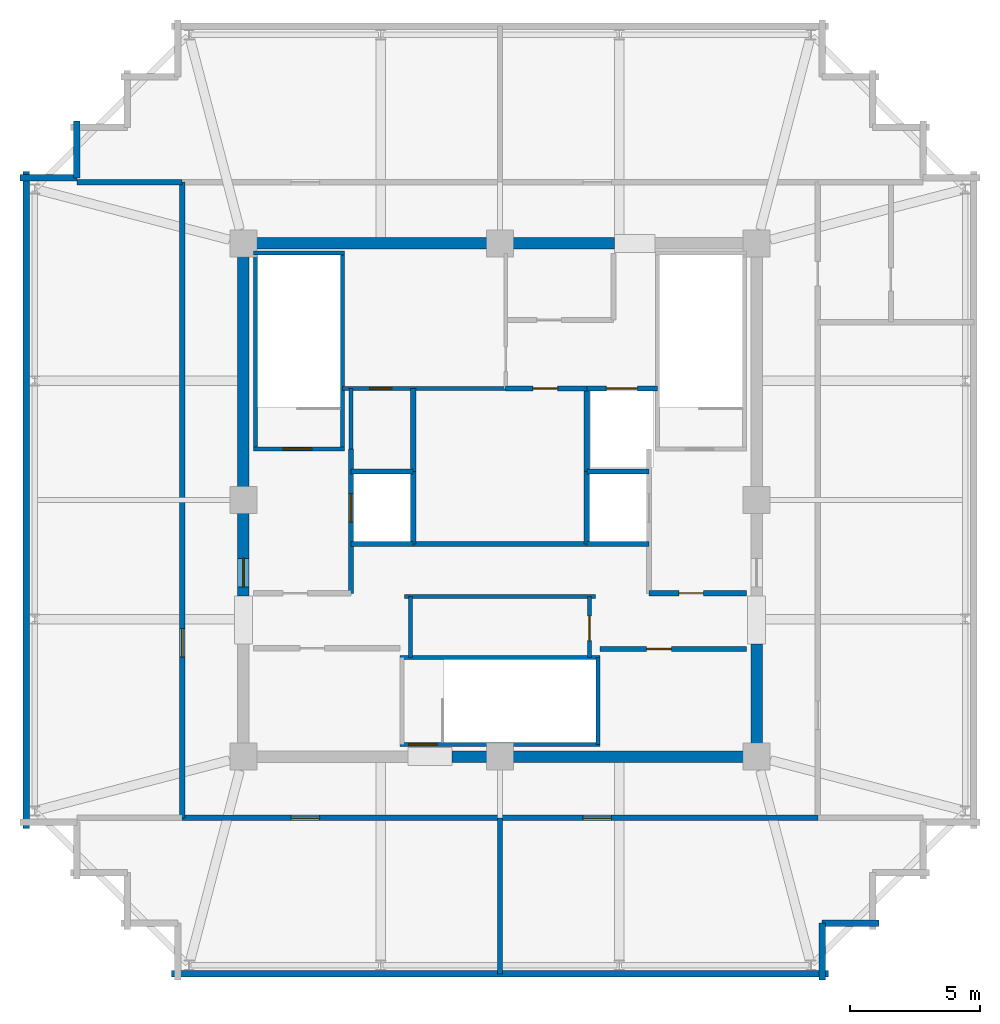
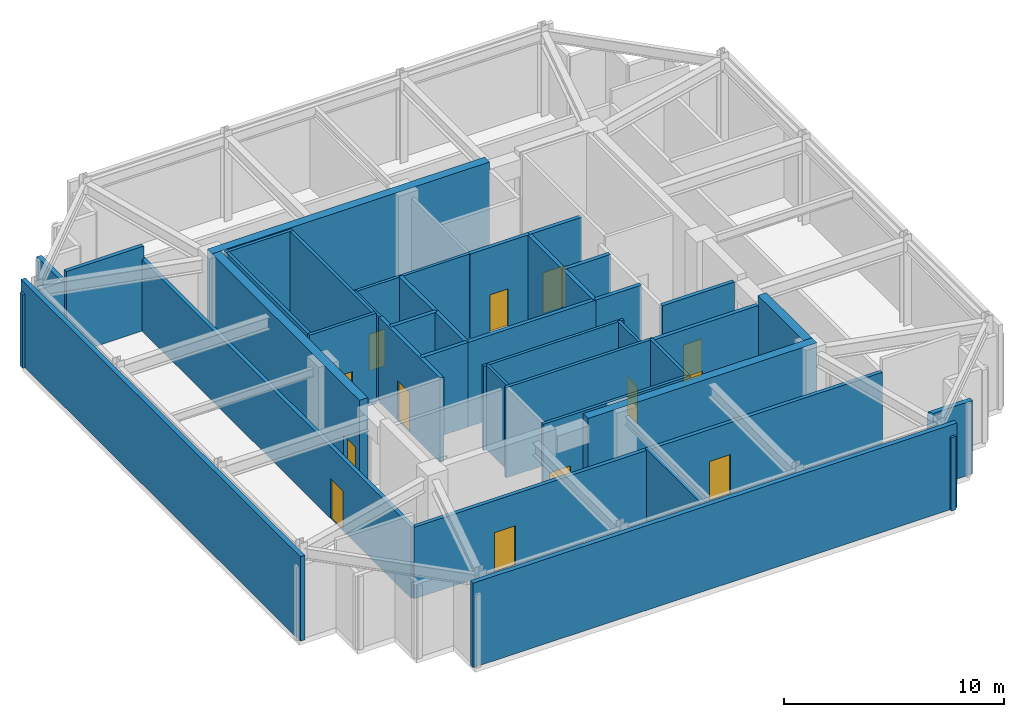
# One storey, part 2 of 4: 40 walls, 13 doors, 13 openings.
"""IFC4 building model written with IfcOpenShell, lengths in metres."""

from ifc_helpers import new_model, si_unit, direction, frame, frame_2d, origin, place, context, subcontext, project, spatial, rectangle, extrude, material, layer, layer_set, type_object, element, fill, save


model = new_model("IFC4")

# Units and contexts
model_context = context("Model", 3, precision=1e-05, world=origin(), true_north=direction((0.0, 1.0)))
body_context = subcontext(model_context, "Body", "Model", "MODEL_VIEW")
ifc_project = project(units=[si_unit("LENGTHUNIT", "METRE"), si_unit("AREAUNIT", "SQUARE_METRE"), si_unit("VOLUMEUNIT", "CUBIC_METRE"), si_unit("PLANEANGLEUNIT", "RADIAN"), si_unit("MASSUNIT", "GRAM", prefix="KILO")], contexts=[model_context])

# Site, building, storey
site_placement = place(None, origin())
site = spatial("IfcSite", under=ifc_project, at=site_placement, CompositionType="ELEMENT")
building_placement = place(site_placement, origin())
building = spatial("IfcBuilding", under=site, at=building_placement, Name="Kolvaren Belvedere", CompositionType="ELEMENT")
storey_placement = place(building_placement, frame((0.0, 0.0, 282.39990234375)))
storey = spatial("IfcBuildingStorey", under=building, at=storey_placement, Name="L80", CompositionType="ELEMENT", Elevation=282.39990234375)

# Walls
ifc_material_1 = material(Name="Concrete C50/60", Category="concrete")
ifc_layer_1 = layer(ifc_material_1, 0.449951171875)
ifc_layer_set_1 = layer_set([ifc_layer_1], Name="Concrete C50/60")
wall_type_1 = type_object("IfcWallType", Name="CW-CORE-450", PredefinedType="SHEAR", material=ifc_layer_set_1)
wall_1_placement = place(storey_placement, frame((10.125, -9.89990234375, 0.0), z_axis=(0.0, 0.0, 1.0), x_axis=(-1.0, 0.0, 0.0)))
element("IfcWall", 1, at=wall_1_placement, inside=storey, type_object=wall_type_1, Name="L80 South Core Shear Wall 1", PredefinedType="SHEAR", context=body_context, shape_type="SweptSolid", body=[
    extrude(rectangle(XDim=11.985107421875, YDim=0.449951171875, at=frame_2d((5.99267578125, 0.0))), origin(), (0.0, 0.0, 1.0), 5.0),
])
wall_2_placement = place(storey_placement, frame((-10.125, 9.89990234375, 0.0), z_axis=(0.0, 0.0, 1.0), x_axis=(1.0, 0.0, 0.0)))
element("IfcWall", 2, at=wall_2_placement, inside=storey, type_object=wall_type_1, Name="L80 North Core Shear Wall 1", PredefinedType="SHEAR", context=body_context, shape_type="SweptSolid", body=[
    extrude(rectangle(XDim=14.544921875, YDim=0.449951171875, at=frame_2d((7.2724609375, 0.0))), origin(), (0.0, 0.0, 1.0), 5.0),
])
wall_3_placement = place(storey_placement, frame((9.89990234375, -9.675048828125, 0.0), z_axis=(0.0, 0.0, 1.0), x_axis=(0.0, 1.0, 0.0)))
element("IfcWall", 3, at=wall_3_placement, inside=storey, type_object=wall_type_1, Name="L80 East Core Shear Wall 1", PredefinedType="SHEAR", context=body_context, shape_type="SweptSolid", body=[
    extrude(rectangle(XDim=4.125, YDim=0.449951171875, at=frame_2d((2.0625, 0.0))), origin(), (0.0, 0.0, 1.0), 5.0),
])

# Wall, opening, door
wall_4_placement = place(storey_placement, frame((-9.89990234375, -3.699951171875, 0.0), z_axis=(0.0, 0.0, 1.0), x_axis=(0.0, 1.0, 0.0)))
wall_4 = element("IfcWall", 4, at=wall_4_placement, inside=storey, type_object=wall_type_1, Name="L80 West Core Shear Wall 2", PredefinedType="SHEAR", context=body_context, shape_type="SweptSolid", body=[
    extrude(rectangle(XDim=13.375, YDim=0.449951171875, at=frame_2d((6.6875, 0.0))), origin(), (0.0, 0.0, 1.0), 5.0),
])
opening_1_placement = place(wall_4_placement, frame((0.35009765625, 0.0, 0.0)))
opening_1 = element("IfcOpeningElement", 5, at=opening_1_placement, cuts=wall_4, Name="Opening D-FD90", PredefinedType="OPENING", context=body_context, shape_type="SweptSolid", body=[
    extrude(rectangle(XDim=1.10009765625, YDim=2.199951171875, at=frame_2d((0.550048828125, 1.10009765625))), frame((0.0, 0.23486328125, 0.0), z_axis=(0.0, -1.0, 0.0), x_axis=(1.0, 0.0, 0.0)), (0.0, 0.0, 1.0), 0.469970703125),
])
ifc_material_2 = material(Name="Painted hollow stainless steel", Category="steel")
door_type_1 = type_object("IfcDoorType", Name="DR-FD90-1100", OperationType="NOTDEFINED", PredefinedType="DOOR", material=ifc_material_2)
door_1_placement = place(opening_1_placement, origin())
door_1 = element("IfcDoor", 6, at=door_1_placement, inside=storey, type_object=door_type_1, Name="L80 West Firefighting Lobby Fire Door", OperationType="SINGLE_SWING_LEFT", OverallHeight=2.199951171875, OverallWidth=1.10009765625, PredefinedType="DOOR", context=body_context, shape_type="SweptSolid", body=[
    extrude(rectangle(XDim=1.10009765625, YDim=2.199951171875, at=frame_2d((0.550048828125, 1.10009765625))), frame((0.0, 0.02490234375, 0.0), z_axis=(0.0, -1.0, 0.0), x_axis=(1.0, 0.0, 0.0)), (0.0, 0.0, 1.0), 0.050048828125),
])
fill(opening_1, door_1)

ifc_material_3 = material(Name="Concrete C50/60", Category="concrete")
ifc_layer_2 = layer(ifc_material_3, 0.159912109375)
ifc_layer_set_2 = layer_set([ifc_layer_2], Name="Concrete C50/60")
wall_type_2 = type_object("IfcWallType", Name="CW-STAIR-160", PredefinedType="SHEAR", material=ifc_layer_set_2)
wall_5_placement = place(storey_placement, frame((-9.52001953125, 1.969970703125, 0.0), z_axis=(0.0, 0.0, 1.0), x_axis=(1.0, 0.0, 0.0)))
wall_5 = element("IfcWall", 7, at=wall_5_placement, inside=storey, type_object=wall_type_2, Name="L80 Stair ST-1 South Shear Wall", PredefinedType="SHEAR", context=body_context, shape_type="SweptSolid", body=[
    extrude(rectangle(XDim=3.52001953125, YDim=0.159912109375, at=frame_2d((1.760009765625, 0.0))), origin(), (0.0, 0.0, 1.0), 5.0),
])
opening_2_placement = place(wall_5_placement, frame((1.14990234375, 0.0, 0.0)))
opening_2 = element("IfcOpeningElement", 8, at=opening_2_placement, cuts=wall_5, Name="Opening D-FD90", PredefinedType="OPENING", context=body_context, shape_type="SweptSolid", body=[
    extrude(rectangle(XDim=1.10009765625, YDim=2.199951171875, at=frame_2d((0.550048828125, 1.10009765625))), frame((0.0, 0.08984375, 0.0), z_axis=(0.0, -1.0, 0.0), x_axis=(1.0, 0.0, 0.0)), (0.0, 0.0, 1.0), 0.179931640625),
])
door_2_placement = place(opening_2_placement, origin())
door_2 = element("IfcDoor", 9, at=door_2_placement, inside=storey, type_object=door_type_1, Name="L80 Stair ST-1 Fire Door", OperationType="SINGLE_SWING_LEFT", OverallHeight=2.199951171875, OverallWidth=1.10009765625, PredefinedType="DOOR", context=body_context, shape_type="SweptSolid", body=[
    extrude(rectangle(XDim=1.10009765625, YDim=2.199951171875, at=frame_2d((0.550048828125, 1.10009765625))), frame((0.0, 0.02490234375, 0.0), z_axis=(0.0, -1.0, 0.0), x_axis=(1.0, 0.0, 0.0)), (0.0, 0.0, 1.0), 0.050048828125),
])
fill(opening_2, door_2)

# Walls
wall_6_placement = place(storey_placement, frame((-9.52001953125, 9.530029296875, 0.0), z_axis=(0.0, 0.0, 1.0), x_axis=(1.0, 0.0, 0.0)))
element("IfcWall", 10, at=wall_6_placement, inside=storey, type_object=wall_type_2, Name="L80 Stair ST-1 North Shear Wall", PredefinedType="SHEAR", context=body_context, shape_type="SweptSolid", body=[
    extrude(rectangle(XDim=3.52001953125, YDim=0.159912109375, at=frame_2d((1.760009765625, 0.0))), origin(), (0.0, 0.0, 1.0), 5.0),
])
for number, where, z_axis, x_axis, name in (
    (11, (-9.429931640625, 1.969970703125, 0.0), (0.0, 0.0, 1.0), (0.0, 1.0, 0.0), "L80 Stair ST-1 West Shear Wall"),
    (12, (-6.080078125, 1.969970703125, 0.0), (0.0, 0.0, 1.0), (0.0, 1.0, 0.0), "L80 Stair ST-1 East Shear Wall"),
):
    element("IfcWall", number, at=place(storey_placement, frame(where, z_axis=z_axis, x_axis=x_axis)), inside=storey, type_object=wall_type_2, Name=name, PredefinedType="SHEAR", context=body_context, shape_type="SweptSolid", body=[
        extrude(rectangle(XDim=7.56005859375, YDim=0.159912109375, at=frame_2d((3.780029296875, 0.0))), origin(), (0.0, 0.0, 1.0), 5.0),
    ])

# Wall, opening, door
wall_7_placement = place(storey_placement, frame((3.860107421875, -9.429931640625, 0.0), z_axis=(0.0, 0.0, 1.0), x_axis=(-1.0, 0.0, 0.0)))
wall_7 = element("IfcWall", 13, at=wall_7_placement, inside=storey, type_object=wall_type_2, Name="L80 Stair ST-3 South Shear Wall", PredefinedType="SHEAR", context=body_context, shape_type="SweptSolid", body=[
    extrude(rectangle(XDim=7.72021484375, YDim=0.159912109375, at=frame_2d((3.860107421875, 0.0))), origin(), (0.0, 0.0, 1.0), 5.0),
])
opening_3_placement = place(wall_7_placement, frame((6.2900390625, 0.0, 0.0)))
opening_3 = element("IfcOpeningElement", 14, at=opening_3_placement, cuts=wall_7, Name="Opening D-FD90", PredefinedType="OPENING", context=body_context, shape_type="SweptSolid", body=[
    extrude(rectangle(XDim=1.10009765625, YDim=2.199951171875, at=frame_2d((0.550048828125, 1.10009765625))), frame((0.0, 0.08984375, 0.0), z_axis=(0.0, -1.0, 0.0), x_axis=(1.0, 0.0, 0.0)), (0.0, 0.0, 1.0), 0.179931640625),
])
door_3_placement = place(opening_3_placement, origin())
door_3 = element("IfcDoor", 15, at=door_3_placement, inside=storey, type_object=door_type_1, Name="L80 Stair ST-3 Exit Door", OperationType="SINGLE_SWING_RIGHT", OverallHeight=2.199951171875, OverallWidth=1.10009765625, PredefinedType="DOOR", context=body_context, shape_type="SweptSolid", body=[
    extrude(rectangle(XDim=1.10009765625, YDim=2.199951171875, at=frame_2d((0.550048828125, 1.10009765625))), frame((0.0, 0.02490234375, 0.0), z_axis=(0.0, -1.0, 0.0), x_axis=(1.0, 0.0, 0.0)), (0.0, 0.0, 1.0), 0.050048828125),
])
fill(opening_3, door_3)

# Walls
wall_8_placement = place(storey_placement, frame((-3.860107421875, -6.080078125, 0.0), z_axis=(0.0, 0.0, 1.0), x_axis=(1.0, 0.0, 0.0)))
element("IfcWall", 16, at=wall_8_placement, inside=storey, type_object=wall_type_2, Name="L80 Stair ST-3 North Shear Wall", PredefinedType="SHEAR", context=body_context, shape_type="SweptSolid", body=[
    extrude(rectangle(XDim=7.72021484375, YDim=0.159912109375, at=frame_2d((3.860107421875, 0.0))), origin(), (0.0, 0.0, 1.0), 5.0),
])
wall_9_placement = place(storey_placement, frame((3.780029296875, -9.429931640625, 0.0), z_axis=(0.0, 0.0, 1.0), x_axis=(0.0, 1.0, 0.0)))
element("IfcWall", 17, at=wall_9_placement, inside=storey, type_object=wall_type_2, Name="L80 Stair ST-3 East Shear Wall", PredefinedType="SHEAR", context=body_context, shape_type="SweptSolid", body=[
    extrude(rectangle(XDim=3.349853515625, YDim=0.159912109375, at=frame_2d((1.6748046875, 0.0))), origin(), (0.0, 0.0, 1.0), 5.0),
])
ifc_material_4 = material(Name="Insulated acoustic pale-metal louvre wall", Category="aluminium")
ifc_layer_3 = layer(ifc_material_4, 0.239990234375)
ifc_layer_set_3 = layer_set([ifc_layer_3], Name="Insulated acoustic pale-metal louvre wall")
wall_type_3 = type_object("IfcWallType", Name="WL-LOUV-240", PredefinedType="STANDARD", material=ifc_layer_set_3)
wall_10_placement = place(storey_placement, frame((12.669921875, -18.280029296875, 0.0), z_axis=(0.0, 0.0, 1.0), x_axis=(-1.0, 0.0, 0.0)))
element("IfcWall", 18, at=wall_10_placement, inside=storey, type_object=wall_type_3, Name="L80 Acoustic Louvre Facade Wall 1", PredefinedType="STANDARD", context=body_context, shape_type="SweptSolid", body=[
    extrude(rectangle(XDim=25.33984375, YDim=0.239990234375, at=frame_2d((12.669921875, 0.0))), origin(), (0.0, 0.0, 1.0), 4.68017578125),
])
wall_11_placement = place(storey_placement, frame((12.429931640625, -16.330078125, 0.0), z_axis=(0.0, 0.0, 1.0), x_axis=(0.0, -1.0, 0.0)))
element("IfcWall", 19, at=wall_11_placement, inside=storey, type_object=wall_type_3, Name="L80 Acoustic Louvre Facade Wall 2", PredefinedType="STANDARD", context=body_context, shape_type="SweptSolid", body=[
    extrude(rectangle(XDim=2.18994140625, YDim=0.239990234375, at=frame_2d((1.094970703125, 0.0))), origin(), (0.0, 0.0, 1.0), 4.06298828125),
])
for number, where, z_axis, x_axis, name in (
    (20, (14.6201171875, -16.330078125, 0.0), (0.0, 0.0, 1.0), (-1.0, 0.0, 0.0), "L80 Acoustic Louvre Facade Wall 3"),
    (21, (-16.330078125, 12.429931640625, 0.0), (0.0, 0.0, 1.0), (0.0, 1.0, 0.0), "L80 Acoustic Louvre Facade Wall 20"),
):
    element("IfcWall", number, at=place(storey_placement, frame(where, z_axis=z_axis, x_axis=x_axis)), inside=storey, type_object=wall_type_3, Name=name, PredefinedType="STANDARD", context=body_context, shape_type="SweptSolid", body=[
        extrude(rectangle(XDim=2.190185546875, YDim=0.239990234375, at=frame_2d((1.09521484375, 0.0))), origin(), (0.0, 0.0, 1.0), 4.06298828125),
    ])
wall_12_placement = place(storey_placement, frame((-18.52001953125, 12.429931640625, 0.0), z_axis=(0.0, 0.0, 1.0), x_axis=(1.0, 0.0, 0.0)))
element("IfcWall", 22, at=wall_12_placement, inside=storey, type_object=wall_type_3, Name="L80 Acoustic Louvre Facade Wall 21", PredefinedType="STANDARD", context=body_context, shape_type="SweptSolid", body=[
    extrude(rectangle(XDim=2.18994140625, YDim=0.239990234375, at=frame_2d((1.094970703125, 0.0))), origin(), (0.0, 0.0, 1.0), 4.06298828125),
])
wall_13_placement = place(storey_placement, frame((-18.280029296875, -12.669921875, 0.0), z_axis=(0.0, 0.0, 1.0), x_axis=(0.0, 1.0, 0.0)))
element("IfcWall", 23, at=wall_13_placement, inside=storey, type_object=wall_type_3, Name="L80 Acoustic Louvre Facade Wall 22", PredefinedType="STANDARD", context=body_context, shape_type="SweptSolid", body=[
    extrude(rectangle(XDim=25.33984375, YDim=0.239990234375, at=frame_2d((12.669921875, 0.0))), origin(), (0.0, 0.0, 1.0), 4.68017578125),
])

# Wall, opening, door
ifc_material_5 = material(Name="Gypsum acoustic partition assembly", Category="gypsum")
ifc_layer_4 = layer(ifc_material_5, 0.14990234375)
ifc_layer_set_4 = layer_set([ifc_layer_4], Name="Gypsum acoustic partition assembly")
wall_type_4 = type_object("IfcWallType", Name="WL-PART-150", PredefinedType="PARTITIONING", material=ifc_layer_set_4)
wall_14_placement = place(storey_placement, frame((-6.080078125, 4.300048828125, 0.0), z_axis=(0.0, 0.0, 1.0), x_axis=(1.0, 0.0, 0.0)))
wall_14 = element("IfcWall", 24, at=wall_14_placement, inside=storey, type_object=wall_type_4, Name="L80 Reclaimed Salon South Wall", PredefinedType="PARTITIONING", context=body_context, shape_type="SweptSolid", body=[
    extrude(rectangle(XDim=6.300048828125, YDim=0.14990234375, at=frame_2d((3.14990234375, 0.0))), origin(), (0.0, 0.0, 1.0), 4.68017578125),
])
opening_4_placement = place(wall_14_placement, frame((1.050048828125, 0.0, 0.0)))
opening_4 = element("IfcOpeningElement", 25, at=opening_4_placement, cuts=wall_14, Name="Opening D-INT85", PredefinedType="OPENING", context=body_context, shape_type="SweptSolid", body=[
    extrude(rectangle(XDim=0.85009765625, YDim=2.030029296875, at=frame_2d((0.425048828125, 1.01513671875))), frame((0.0, 0.0849609375, 0.0), z_axis=(0.0, -1.0, 0.0), x_axis=(1.0, 0.0, 0.0)), (0.0, 0.0, 1.0), 0.169921875),
])
ifc_material_6 = material(Name="Stained Pacific white oak", Category="timber")
door_type_2 = type_object("IfcDoorType", Name="DR-INT-850", OperationType="NOTDEFINED", PredefinedType="DOOR", material=ifc_material_6)
door_4_placement = place(opening_4_placement, origin())
door_4 = element("IfcDoor", 26, at=door_4_placement, inside=storey, type_object=door_type_2, Name="L80 NW Core Store Door", OperationType="SINGLE_SWING_RIGHT", OverallHeight=2.030029296875, OverallWidth=0.85009765625, PredefinedType="DOOR", context=body_context, shape_type="SweptSolid", body=[
    extrude(rectangle(XDim=0.85009765625, YDim=2.030029296875, at=frame_2d((0.425048828125, 1.01513671875))), frame((0.0, 0.02490234375, 0.0), z_axis=(0.0, -1.0, 0.0), x_axis=(1.0, 0.0, 0.0)), (0.0, 0.0, 1.0), 0.050048828125),
])
fill(opening_4, door_4)

# Wall
wall_15_placement = place(storey_placement, frame((-3.679931640625, -3.719970703125, 0.0), z_axis=(0.0, 0.0, 1.0), x_axis=(1.0, 0.0, 0.0)))
element("IfcWall", 27, at=wall_15_placement, inside=storey, type_object=wall_type_4, Name="L80 South Core Service North Wall", PredefinedType="PARTITIONING", context=body_context, shape_type="SweptSolid", body=[
    extrude(rectangle(XDim=7.35986328125, YDim=0.14990234375, at=frame_2d((3.679931640625, 0.0))), origin(), (0.0, 0.0, 1.0), 4.68017578125),
])

# Wall, opening, door
wall_16_placement = place(storey_placement, frame((3.449951171875, -6.080078125, 0.0), z_axis=(0.0, 0.0, 1.0), x_axis=(0.0, 1.0, 0.0)))
wall_16 = element("IfcWall", 28, at=wall_16_placement, inside=storey, type_object=wall_type_4, Name="L80 South Core Service East Wall", PredefinedType="PARTITIONING", context=body_context, shape_type="SweptSolid", body=[
    extrude(rectangle(XDim=2.360107421875, YDim=0.14990234375, at=frame_2d((1.18017578125, 0.0))), origin(), (0.0, 0.0, 1.0), 4.68017578125),
])
opening_5_placement = place(wall_16_placement, frame((0.64990234375, 0.0, 0.0)))
opening_5 = element("IfcOpeningElement", 29, at=opening_5_placement, cuts=wall_16, Name="Opening D-FD60", PredefinedType="OPENING", context=body_context, shape_type="SweptSolid", body=[
    extrude(rectangle(XDim=0.949951171875, YDim=2.06005859375, at=frame_2d((0.47509765625, 1.030029296875))), frame((0.0, 0.0849609375, 0.0), z_axis=(0.0, -1.0, 0.0), x_axis=(1.0, 0.0, 0.0)), (0.0, 0.0, 1.0), 0.169921875),
])
ifc_material_7 = material(Name="Acoustic white-oak fire door leaf", Category="timber")
door_type_3 = type_object("IfcDoorType", Name="DR-FD60-950", OperationType="NOTDEFINED", PredefinedType="DOOR", material=ifc_material_7)
door_5_placement = place(opening_5_placement, origin())
door_5 = element("IfcDoor", 30, at=door_5_placement, inside=storey, type_object=door_type_3, Name="L80 Core Service Room Door", OperationType="SINGLE_SWING_LEFT", OverallHeight=2.06005859375, OverallWidth=0.949951171875, PredefinedType="DOOR", context=body_context, shape_type="SweptSolid", body=[
    extrude(rectangle(XDim=0.949951171875, YDim=2.06005859375, at=frame_2d((0.47509765625, 1.030029296875))), frame((0.0, 0.02490234375, 0.0), z_axis=(0.0, -1.0, 0.0), x_axis=(1.0, 0.0, 0.0)), (0.0, 0.0, 1.0), 0.050048828125),
])
fill(opening_5, door_5)

# Walls
wall_17_placement = place(storey_placement, frame((-3.449951171875, -6.080078125, 0.0), z_axis=(0.0, 0.0, 1.0), x_axis=(0.0, 1.0, 0.0)))
element("IfcWall", 31, at=wall_17_placement, inside=storey, type_object=wall_type_4, Name="L80 South Core Service West Wall", PredefinedType="PARTITIONING", context=body_context, shape_type="SweptSolid", body=[
    extrude(rectangle(XDim=2.360107421875, YDim=0.14990234375, at=frame_2d((1.18017578125, 0.0))), origin(), (0.0, 0.0, 1.0), 4.68017578125),
])
wall_18_placement = place(storey_placement, frame((-5.75, 1.969970703125, 0.0), z_axis=(0.0, 0.0, 1.0), x_axis=(0.0, 1.0, 0.0)))
element("IfcWall", 32, at=wall_18_placement, inside=storey, type_object=wall_type_4, Name="L80 NW Service Room West Wall", PredefinedType="PARTITIONING", context=body_context, shape_type="SweptSolid", body=[
    extrude(rectangle(XDim=2.330078125, YDim=0.14990234375, at=frame_2d((1.1650390625, 0.0))), origin(), (0.0, 0.0, 1.0), 4.68017578125),
])

# Wall, opening, door
ifc_material_8 = material(Name="Concrete C50/60", Category="concrete")
ifc_layer_5 = layer(ifc_material_8, 0.199951171875)
ifc_layer_set_5 = layer_set([ifc_layer_5], Name="Concrete C50/60")
wall_type_5 = type_object("IfcWallType", Name="WL-SHAFT-200", PredefinedType="SOLIDWALL", material=ifc_layer_set_5)
wall_19_placement = place(storey_placement, frame((-5.75, -3.60009765625, 0.0), z_axis=(0.0, 0.0, 1.0), x_axis=(0.0, 1.0, 0.0)))
wall_19 = element("IfcWall", 33, at=wall_19_placement, inside=storey, type_object=wall_type_5, Name="L80 FSAE FS1 Landing Wall", PredefinedType="SOLIDWALL", context=body_context, shape_type="SweptSolid", body=[
    extrude(rectangle(XDim=5.570068359375, YDim=0.199951171875, at=frame_2d((2.78515625, 0.0))), origin(), (0.0, 0.0, 1.0), 4.68017578125),
])
opening_6_placement = place(wall_19_placement, frame((2.75, 0.0, 0.0)))
opening_6 = element("IfcOpeningElement", 34, at=opening_6_placement, cuts=wall_19, Name="Opening LD-11", PredefinedType="OPENING", context=body_context, shape_type="SweptSolid", body=[
    extrude(rectangle(XDim=1.10009765625, YDim=2.199951171875, at=frame_2d((0.550048828125, 1.10009765625))), frame((0.0, 0.10986328125, 0.0), z_axis=(0.0, -1.0, 0.0), x_axis=(1.0, 0.0, 0.0)), (0.0, 0.0, 1.0), 0.219970703125),
])
ifc_material_9 = material(Name="Brushed stainless steel", Category="steel")
door_type_4 = type_object("IfcDoorType", Name="DR-LIFT-1100", OperationType="DOUBLE_DOOR_SLIDING", PredefinedType="DOOR", material=ifc_material_9)
door_6_placement = place(opening_6_placement, origin())
door_6 = element("IfcDoor", 35, at=door_6_placement, inside=storey, type_object=door_type_4, Name="L80 Firefighting Lift FS1 Landing Door", OperationType="DOUBLE_DOOR_SLIDING", OverallHeight=2.199951171875, OverallWidth=1.10009765625, PredefinedType="DOOR", context=body_context, shape_type="SweptSolid", body=[
    extrude(rectangle(XDim=1.10009765625, YDim=2.199951171875, at=frame_2d((0.550048828125, 1.10009765625))), frame((0.0, 0.02490234375, 0.0), z_axis=(0.0, -1.0, 0.0), x_axis=(1.0, 0.0, 0.0)), (0.0, 0.0, 1.0), 0.050048828125),
])
fill(opening_6, door_6)

# Walls
wall_20_placement = place(storey_placement, frame((-3.35009765625, -1.699951171875, 0.0), z_axis=(0.0, 0.0, 1.0), x_axis=(0.0, 1.0, 0.0)))
element("IfcWall", 36, at=wall_20_placement, inside=storey, type_object=wall_type_5, Name="L80 FSAE FS1 Back Wall", PredefinedType="SOLIDWALL", context=body_context, shape_type="SweptSolid", body=[
    extrude(rectangle(XDim=2.800048828125, YDim=0.199951171875, at=frame_2d((1.39990234375, 0.0))), origin(), (0.0, 0.0, 1.0), 4.68017578125),
])
for number, where, z_axis, x_axis, name in (
    (37, (-5.75, -1.699951171875, 0.0), (0.0, 0.0, 1.0), (1.0, 0.0, 0.0), "L80 FSAE FS1 South Wall"),
    (38, (-5.75, 1.10009765625, 0.0), (0.0, 0.0, 1.0), (1.0, 0.0, 0.0), "L80 FSAE FS1 North Wall"),
):
    element("IfcWall", number, at=place(storey_placement, frame(where, z_axis=z_axis, x_axis=x_axis)), inside=storey, type_object=wall_type_5, Name=name, PredefinedType="SOLIDWALL", context=body_context, shape_type="SweptSolid", body=[
        extrude(rectangle(XDim=2.39990234375, YDim=0.199951171875, at=frame_2d((1.199951171875, 0.0))), origin(), (0.0, 0.0, 1.0), 4.68017578125),
    ])

# Wall, opening, door
wall_21_placement = place(storey_placement, frame((5.75, -3.60009765625, 0.0), z_axis=(0.0, 0.0, 1.0), x_axis=(1.0, 0.0, 0.0)))
wall_21 = element("IfcWall", 39, at=wall_21_placement, inside=storey, type_object=wall_type_5, Name="L80 East FSAE Lobby South Wall", PredefinedType="SOLIDWALL", context=body_context, shape_type="SweptSolid", body=[
    extrude(rectangle(XDim=3.77001953125, YDim=0.199951171875, at=frame_2d((1.885009765625, 0.0))), origin(), (0.0, 0.0, 1.0), 4.68017578125),
])
opening_7_placement = place(wall_21_placement, frame((1.14990234375, 0.0, 0.0)))
opening_7 = element("IfcOpeningElement", 40, at=opening_7_placement, cuts=wall_21, Name="Opening D-FD60", PredefinedType="OPENING", context=body_context, shape_type="SweptSolid", body=[
    extrude(rectangle(XDim=0.949951171875, YDim=2.06005859375, at=frame_2d((0.47509765625, 1.030029296875))), frame((0.0, 0.10986328125, 0.0), z_axis=(0.0, -1.0, 0.0), x_axis=(1.0, 0.0, 0.0)), (0.0, 0.0, 1.0), 0.219970703125),
])
door_7_placement = place(opening_7_placement, origin())
door_7 = element("IfcDoor", 41, at=door_7_placement, inside=storey, type_object=door_type_3, Name="L80 SE Lift Lobby Fire Door", OperationType="SINGLE_SWING_RIGHT", OverallHeight=2.06005859375, OverallWidth=0.949951171875, PredefinedType="DOOR", context=body_context, shape_type="SweptSolid", body=[
    extrude(rectangle(XDim=0.949951171875, YDim=2.06005859375, at=frame_2d((0.47509765625, 1.030029296875))), frame((0.0, 0.02490234375, 0.0), z_axis=(0.0, -1.0, 0.0), x_axis=(1.0, 0.0, 0.0)), (0.0, 0.0, 1.0), 0.050048828125),
])
fill(opening_7, door_7)

# Walls
wall_22_placement = place(storey_placement, frame((3.35009765625, -1.699951171875, 0.0), z_axis=(0.0, 0.0, 1.0), x_axis=(0.0, 1.0, 0.0)))
element("IfcWall", 42, at=wall_22_placement, inside=storey, type_object=wall_type_5, Name="L80 FSAE FS2 Back Wall", PredefinedType="SOLIDWALL", context=body_context, shape_type="SweptSolid", body=[
    extrude(rectangle(XDim=2.800048828125, YDim=0.199951171875, at=frame_2d((1.39990234375, 0.0))), origin(), (0.0, 0.0, 1.0), 4.68017578125),
])
for number, where, z_axis, x_axis, name in (
    (43, (3.35009765625, -1.699951171875, 0.0), (0.0, 0.0, 1.0), (1.0, 0.0, 0.0), "L80 FSAE FS2 South Wall"),
    (44, (3.35009765625, 1.10009765625, 0.0), (0.0, 0.0, 1.0), (1.0, 0.0, 0.0), "L80 FSAE FS2 North Wall"),
):
    element("IfcWall", number, at=place(storey_placement, frame(where, z_axis=z_axis, x_axis=x_axis)), inside=storey, type_object=wall_type_5, Name=name, PredefinedType="SOLIDWALL", context=body_context, shape_type="SweptSolid", body=[
        extrude(rectangle(XDim=2.39990234375, YDim=0.199951171875, at=frame_2d((1.199951171875, 0.0))), origin(), (0.0, 0.0, 1.0), 4.68017578125),
    ])

# Wall, opening, door
wall_23_placement = place(storey_placement, frame((3.35009765625, 4.300048828125, 0.0), z_axis=(0.0, 0.0, 1.0), x_axis=(1.0, 0.0, 0.0)))
wall_23 = element("IfcWall", 45, at=wall_23_placement, inside=storey, type_object=wall_type_5, Name="L80 Service Lift SV1 Front Wall", PredefinedType="SOLIDWALL", context=body_context, shape_type="SweptSolid", body=[
    extrude(rectangle(XDim=2.72998046875, YDim=0.199951171875, at=frame_2d((1.364990234375, 0.0))), origin(), (0.0, 0.0, 1.0), 4.68017578125),
])
opening_8_placement = place(wall_23_placement, frame((0.75, 0.0, 0.0)))
opening_8 = element("IfcOpeningElement", 46, at=opening_8_placement, cuts=wall_23, Name="Opening LD-12", PredefinedType="OPENING", context=body_context, shape_type="SweptSolid", body=[
    extrude(rectangle(XDim=1.199951171875, YDim=2.25, at=frame_2d((0.60009765625, 1.125))), frame((0.0, 0.10986328125, 0.0), z_axis=(0.0, -1.0, 0.0), x_axis=(1.0, 0.0, 0.0)), (0.0, 0.0, 1.0), 0.219970703125),
])
ifc_material_10 = material(Name="Brushed stainless steel", Category="steel")
door_type_5 = type_object("IfcDoorType", Name="DR-LIFT-1200", OperationType="DOUBLE_DOOR_SLIDING", PredefinedType="DOOR", material=ifc_material_10)
door_8_placement = place(opening_8_placement, origin())
door_8 = element("IfcDoor", 47, at=door_8_placement, inside=storey, type_object=door_type_5, Name="L80 Service Lift SV1 Landing Door", OperationType="DOUBLE_DOOR_SLIDING", OverallHeight=2.25, OverallWidth=1.199951171875, PredefinedType="DOOR", context=body_context, shape_type="SweptSolid", body=[
    extrude(rectangle(XDim=1.199951171875, YDim=2.25, at=frame_2d((0.60009765625, 1.125))), frame((0.0, 0.02490234375, 0.0), z_axis=(0.0, -1.0, 0.0), x_axis=(1.0, 0.0, 0.0)), (0.0, 0.0, 1.0), 0.050048828125),
])
fill(opening_8, door_8)

wall_24_placement = place(storey_placement, frame((3.860107421875, -5.75, 0.0), z_axis=(0.0, 0.0, 1.0), x_axis=(1.0, 0.0, 0.0)))
wall_24 = element("IfcWall", 48, at=wall_24_placement, inside=storey, type_object=wall_type_5, Name="L80 Machine Room Wall", PredefinedType="SOLIDWALL", context=body_context, shape_type="SweptSolid", body=[
    extrude(rectangle(XDim=5.659912109375, YDim=0.199951171875, at=frame_2d((2.830078125, 0.0))), origin(), (0.0, 0.0, 1.0), 4.68017578125),
])
opening_9_placement = place(wall_24_placement, frame((1.800048828125, 0.0, 0.0)))
opening_9 = element("IfcOpeningElement", 49, at=opening_9_placement, cuts=wall_24, Name="Opening D-FD60", PredefinedType="OPENING", context=body_context, shape_type="SweptSolid", body=[
    extrude(rectangle(XDim=0.949951171875, YDim=2.06005859375, at=frame_2d((0.47509765625, 1.030029296875))), frame((0.0, 0.10986328125, 0.0), z_axis=(0.0, -1.0, 0.0), x_axis=(1.0, 0.0, 0.0)), (0.0, 0.0, 1.0), 0.219970703125),
])
door_9_placement = place(opening_9_placement, origin())
door_9 = element("IfcDoor", 50, at=door_9_placement, inside=storey, type_object=door_type_3, Name="L80 Machine Room Door", OperationType="SINGLE_SWING_RIGHT", OverallHeight=2.06005859375, OverallWidth=0.949951171875, PredefinedType="DOOR", context=body_context, shape_type="SweptSolid", body=[
    extrude(rectangle(XDim=0.949951171875, YDim=2.06005859375, at=frame_2d((0.47509765625, 1.030029296875))), frame((0.0, 0.02490234375, 0.0), z_axis=(0.0, -1.0, 0.0), x_axis=(1.0, 0.0, 0.0)), (0.0, 0.0, 1.0), 0.050048828125),
])
fill(opening_9, door_9)

wall_25_placement = place(storey_placement, frame((0.219970703125, 4.300048828125, 0.0), z_axis=(0.0, 0.0, 1.0), x_axis=(1.0, 0.0, 0.0)))
wall_25 = element("IfcWall", 51, at=wall_25_placement, inside=storey, type_object=wall_type_5, Name="L80 Central Core Room North Wall", PredefinedType="SOLIDWALL", context=body_context, shape_type="SweptSolid", body=[
    extrude(rectangle(XDim=3.130126953125, YDim=0.199951171875, at=frame_2d((1.56494140625, 0.0))), origin(), (0.0, 0.0, 1.0), 4.68017578125),
])
opening_10_placement = place(wall_25_placement, frame((1.050048828125, 0.0, 0.0)))
opening_10 = element("IfcOpeningElement", 52, at=opening_10_placement, cuts=wall_25, Name="Opening D-FD60", PredefinedType="OPENING", context=body_context, shape_type="SweptSolid", body=[
    extrude(rectangle(XDim=0.949951171875, YDim=2.06005859375, at=frame_2d((0.47509765625, 1.030029296875))), frame((0.0, 0.10986328125, 0.0), z_axis=(0.0, -1.0, 0.0), x_axis=(1.0, 0.0, 0.0)), (0.0, 0.0, 1.0), 0.219970703125),
])
door_10_placement = place(opening_10_placement, origin())
door_10 = element("IfcDoor", 53, at=door_10_placement, inside=storey, type_object=door_type_3, Name="L80 Central Core Controls Door", OperationType="SINGLE_SWING_LEFT", OverallHeight=2.06005859375, OverallWidth=0.949951171875, PredefinedType="DOOR", context=body_context, shape_type="SweptSolid", body=[
    extrude(rectangle(XDim=0.949951171875, YDim=2.06005859375, at=frame_2d((0.47509765625, 1.030029296875))), frame((0.0, 0.02490234375, 0.0), z_axis=(0.0, -1.0, 0.0), x_axis=(1.0, 0.0, 0.0)), (0.0, 0.0, 1.0), 0.050048828125),
])
fill(opening_10, door_10)

# Walls
wall_26_placement = place(storey_placement, frame((-3.35009765625, -1.699951171875, 0.0), z_axis=(0.0, 0.0, 1.0), x_axis=(1.0, 0.0, 0.0)))
element("IfcWall", 54, at=wall_26_placement, inside=storey, type_object=wall_type_5, Name="L80 Central Core Room South Wall", PredefinedType="SOLIDWALL", context=body_context, shape_type="SweptSolid", body=[
    extrude(rectangle(XDim=6.7001953125, YDim=0.199951171875, at=frame_2d((3.35009765625, 0.0))), origin(), (0.0, 0.0, 1.0), 4.68017578125),
])
for number, where, z_axis, x_axis, name in (
    (55, (-3.35009765625, 1.10009765625, 0.0), (0.0, 0.0, 1.0), (0.0, 1.0, 0.0), "L80 Central Core Room West Wall"),
    (56, (3.35009765625, 1.10009765625, 0.0), (0.0, 0.0, 1.0), (0.0, 1.0, 0.0), "L80 Central Core Room East Wall"),
):
    element("IfcWall", number, at=place(storey_placement, frame(where, z_axis=z_axis, x_axis=x_axis)), inside=storey, type_object=wall_type_5, Name=name, PredefinedType="SOLIDWALL", context=body_context, shape_type="SweptSolid", body=[
        extrude(rectangle(XDim=3.199951171875, YDim=0.199951171875, at=frame_2d((1.60009765625, 0.0))), origin(), (0.0, 0.0, 1.0), 4.68017578125),
    ])

# Wall, openings, doors
wall_27_placement = place(storey_placement, frame((-12.260009765625, -12.260009765625, 0.0), z_axis=(0.0, 0.0, 1.0), x_axis=(1.0, 0.0, 0.0)))
wall_27 = element("IfcWall", 57, at=wall_27_placement, inside=storey, type_object=wall_type_5, Name="L80 South Corridor Wall", PredefinedType="SOLIDWALL", context=body_context, shape_type="SweptSolid", body=[
    extrude(rectangle(XDim=24.52001953125, YDim=0.199951171875, at=frame_2d((12.260009765625, 0.0))), origin(), (0.0, 0.0, 1.0), 3.968994140625),
])
opening_11_placement = place(wall_27_placement, frame((4.199951171875, 0.0, 0.0)))
opening_11 = element("IfcOpeningElement", 58, at=opening_11_placement, cuts=wall_27, Name="Opening D-FD90", PredefinedType="OPENING", context=body_context, shape_type="SweptSolid", body=[
    extrude(rectangle(XDim=1.10009765625, YDim=2.199951171875, at=frame_2d((0.550048828125, 1.10009765625))), frame((0.0, 0.10986328125, 0.0), z_axis=(0.0, -1.0, 0.0), x_axis=(1.0, 0.0, 0.0)), (0.0, 0.0, 1.0), 0.219970703125),
])
opening_12_placement = place(wall_27_placement, frame((15.4599609375, 0.0, 0.0)))
opening_12 = element("IfcOpeningElement", 59, at=opening_12_placement, cuts=wall_27, Name="Opening D-FD90", PredefinedType="OPENING", context=body_context, shape_type="SweptSolid", body=[
    extrude(rectangle(XDim=1.10009765625, YDim=2.199951171875, at=frame_2d((0.550048828125, 1.10009765625))), frame((0.0, 0.10986328125, 0.0), z_axis=(0.0, -1.0, 0.0), x_axis=(1.0, 0.0, 0.0)), (0.0, 0.0, 1.0), 0.219970703125),
])
door_11_placement = place(opening_11_placement, origin())
door_11 = element("IfcDoor", 60, at=door_11_placement, inside=storey, type_object=door_type_1, Name="L80 Upper Crown Dry-Cooler Mechanical Plant Door", OperationType="SINGLE_SWING_LEFT", OverallHeight=2.199951171875, OverallWidth=1.10009765625, PredefinedType="DOOR", context=body_context, shape_type="SweptSolid", body=[
    extrude(rectangle(XDim=1.10009765625, YDim=2.199951171875, at=frame_2d((0.550048828125, 1.10009765625))), frame((0.0, 0.02490234375, 0.0), z_axis=(0.0, -1.0, 0.0), x_axis=(1.0, 0.0, 0.0)), (0.0, 0.0, 1.0), 0.050048828125),
])
fill(opening_11, door_11)
door_12_placement = place(opening_12_placement, origin())
door_12 = element("IfcDoor", 61, at=door_12_placement, inside=storey, type_object=door_type_1, Name="L80 Top Pressurisation Fan Mechanical Plant Door", OperationType="SINGLE_SWING_RIGHT", OverallHeight=2.199951171875, OverallWidth=1.10009765625, PredefinedType="DOOR", context=body_context, shape_type="SweptSolid", body=[
    extrude(rectangle(XDim=1.10009765625, YDim=2.199951171875, at=frame_2d((0.550048828125, 1.10009765625))), frame((0.0, 0.02490234375, 0.0), z_axis=(0.0, -1.0, 0.0), x_axis=(1.0, 0.0, 0.0)), (0.0, 0.0, 1.0), 0.050048828125),
])
fill(opening_12, door_12)

# Wall, opening, door
wall_28_placement = place(storey_placement, frame((-12.260009765625, -12.260009765625, 0.0), z_axis=(0.0, 0.0, 1.0), x_axis=(0.0, 1.0, 0.0)))
wall_28 = element("IfcWall", 62, at=wall_28_placement, inside=storey, type_object=wall_type_5, Name="L80 West Corridor Wall", PredefinedType="SOLIDWALL", context=body_context, shape_type="SweptSolid", body=[
    extrude(rectangle(XDim=24.52001953125, YDim=0.199951171875, at=frame_2d((12.260009765625, 0.0))), origin(), (0.0, 0.0, 1.0), 3.968994140625),
])
opening_13_placement = place(wall_28_placement, frame((6.199951171875, 0.0, 0.0)))
opening_13 = element("IfcOpeningElement", 63, at=opening_13_placement, cuts=wall_28, Name="Opening D-FD90", PredefinedType="OPENING", context=body_context, shape_type="SweptSolid", body=[
    extrude(rectangle(XDim=1.10009765625, YDim=2.199951171875, at=frame_2d((0.550048828125, 1.10009765625))), frame((0.0, 0.10986328125, 0.0), z_axis=(0.0, -1.0, 0.0), x_axis=(1.0, 0.0, 0.0)), (0.0, 0.0, 1.0), 0.219970703125),
])
door_13_placement = place(opening_13_placement, origin())
door_13 = element("IfcDoor", 64, at=door_13_placement, inside=storey, type_object=door_type_1, Name="L80 Lightning & Telecom Mast Mechanical Plant Door", OperationType="SINGLE_SWING_LEFT", OverallHeight=2.199951171875, OverallWidth=1.10009765625, PredefinedType="DOOR", context=body_context, shape_type="SweptSolid", body=[
    extrude(rectangle(XDim=1.10009765625, YDim=2.199951171875, at=frame_2d((0.550048828125, 1.10009765625))), frame((0.0, 0.02490234375, 0.0), z_axis=(0.0, -1.0, 0.0), x_axis=(1.0, 0.0, 0.0)), (0.0, 0.0, 1.0), 0.050048828125),
])
fill(opening_13, door_13)

# Walls
wall_29_placement = place(storey_placement, frame((-16.320068359375, 12.260009765625, 0.0), z_axis=(0.0, 0.0, 1.0), x_axis=(1.0, 0.0, 0.0)))
element("IfcWall", 65, at=wall_29_placement, inside=storey, type_object=wall_type_5, Name="L80 Sector Wall PW-L80-QNW", PredefinedType="SOLIDWALL", context=body_context, shape_type="SweptSolid", body=[
    extrude(rectangle(XDim=4.06005859375, YDim=0.199951171875, at=frame_2d((2.030029296875, 0.0))), origin(), (0.0, 0.0, 1.0), 4.68017578125),
])
wall_30_placement = place(storey_placement, frame((0.0, -18.280029296875, 0.0), z_axis=(0.0, 0.0, 1.0), x_axis=(0.0, 1.0, 0.0)))
element("IfcWall", 66, at=wall_30_placement, inside=storey, type_object=wall_type_5, Name="L80 South Plant Divider", PredefinedType="SOLIDWALL", context=body_context, shape_type="SweptSolid", body=[
    extrude(rectangle(XDim=6.02001953125, YDim=0.199951171875, at=frame_2d((3.010009765625, 0.0))), origin(), (0.0, 0.0, 1.0), 4.052978515625),
])

save(model, "model.ifc")
